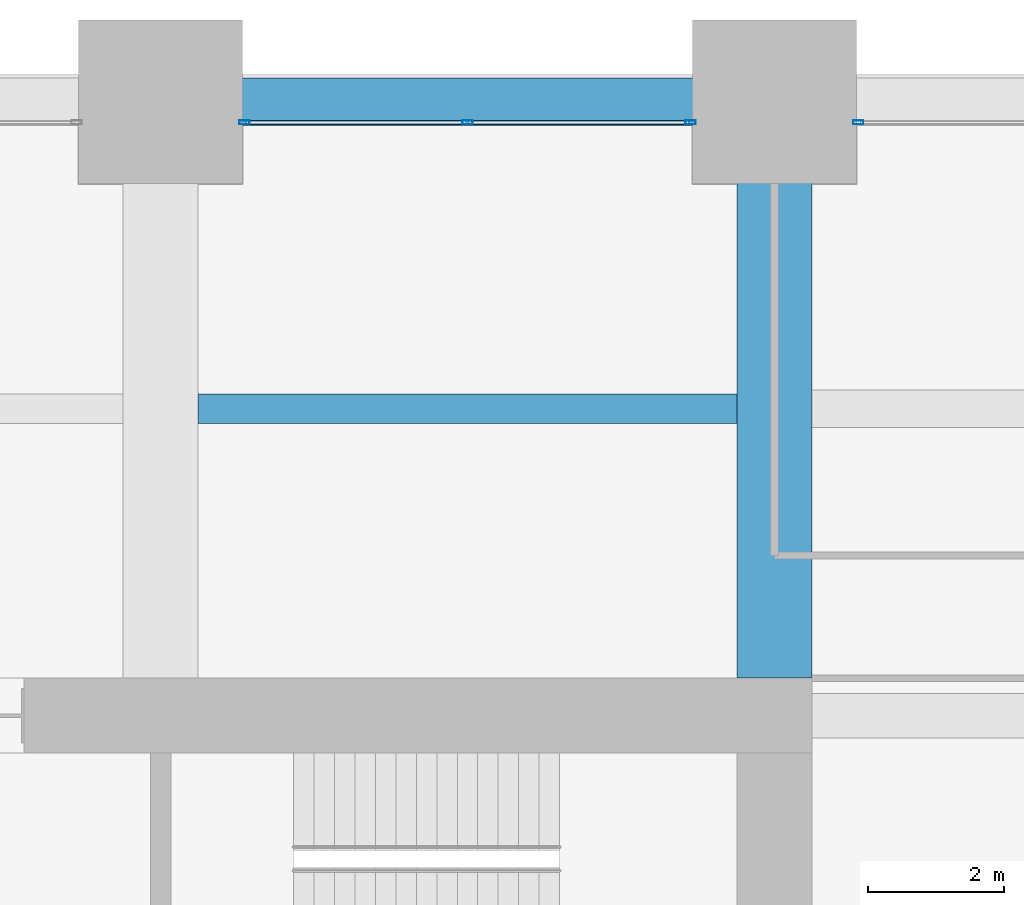
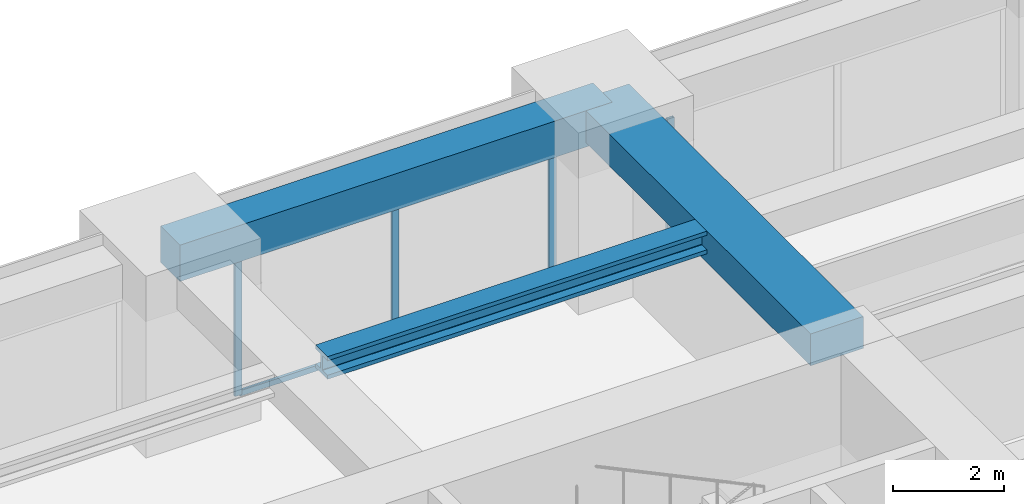
# One storey, part 30 of 40: 5 members, 3 beams, 2 elements without a shape of their own.
"""IFC4 building model written with IfcOpenShell, lengths in metres."""

from ifc_helpers import new_model, si_unit, direction, frame, origin, origin_2d, place, context, subcontext, project, spatial, rectangle, hollow_rectangle, i_section, extrude, material, material_profile, profile_set, type_object, element, aggregate, save


model = new_model("IFC4")

# Units and contexts
model_context = context("Model", 3, precision=1e-05, world=origin(), true_north=direction((0.0, 1.0)))
body_context = subcontext(model_context, "Body", "Model", "MODEL_VIEW")
ifc_project = project(units=[si_unit("LENGTHUNIT", "METRE"), si_unit("AREAUNIT", "SQUARE_METRE"), si_unit("VOLUMEUNIT", "CUBIC_METRE"), si_unit("PLANEANGLEUNIT", "RADIAN"), si_unit("MASSUNIT", "GRAM", prefix="KILO")], contexts=[model_context])

# Site, building, storey
site_placement = place(None, origin())
site = spatial("IfcSite", under=ifc_project, at=site_placement, CompositionType="ELEMENT")
building_placement = place(site_placement, origin())
building = spatial("IfcBuilding", under=site, at=building_placement, Name="Zorevar Civic Tower", CompositionType="ELEMENT")
storey_placement = place(building_placement, frame((0.0, 0.0, 129.0)))
storey = spatial("IfcBuildingStorey", under=building, at=storey_placement, Name="L31", CompositionType="ELEMENT", Elevation=129.0)

# Beam
ifc_material_1 = material(Name="Concrete C50/60", Category="concrete")
ifc_material_profile_1 = material_profile(ifc_material_1, rectangle(XDim=1.10009765625, YDim=0.699951171875, at=origin_2d()), Name="RC 1100x700")
ifc_profile_set_1 = profile_set([ifc_material_profile_1], Name="Concrete C50/60")
beam_type_1 = type_object("IfcBeamType", Name="Beam RC 1100x700", PredefinedType="BEAM", material=ifc_profile_set_1)
beam_1_placement = place(storey_placement, frame((45.0, 36.550048828125, 3.39990234375), z_axis=(0.0, 1.0, 0.0), x_axis=(-1.0, 0.0, 0.0)))
element("IfcBeam", 1, at=beam_1_placement, inside=storey, type_object=beam_type_1, Name="Girder L32", PredefinedType="BEAM", context=body_context, shape_type="SweptSolid", body=[
    extrude(rectangle(XDim=1.10009765625, YDim=0.699951171875, at=origin_2d()), origin(), (0.0, 0.0, 1.0), 8.449951171875),
])

# Curtain wall, members
ifc_material_2 = material(Name="Dark grey solar-control glass in black aluminium frame", Category="aluminium")
curtain_wall_type = type_object("IfcCurtainWallType", Name="Curtain wall CW3 mid zone", PredefinedType="NOTDEFINED", material=ifc_material_2)
curtain_wall_1_placement = place(storey_placement, origin())
curtain_wall_1 = element("IfcCurtainWall", 2, at=curtain_wall_1_placement, inside=storey, type_object=curtain_wall_type, Name="CW3 L31", PredefinedType="NOTDEFINED")
ifc_material_3 = material(Name="Aluminium, black anodised", Category="aluminium")
ifc_material_profile_2 = material_profile(ifc_material_3, hollow_rectangle(XDim=0.06005859375, YDim=0.14990234375, WallThickness=0.00390625, at=origin_2d()), Name="AL 150x60x4")
ifc_profile_set_2 = profile_set([ifc_material_profile_2], Name="Aluminium, black anodised")
member_type_1 = type_object("IfcMemberType", Name="CW3 mullion AL 150x60x4", PredefinedType="MULLION", material=ifc_profile_set_2)
member_1_placement = place(storey_placement, frame((37.22998046875, 44.699951171875, 0.0), z_axis=(0.0, 0.0, 1.0), x_axis=(0.0, 1.0, 0.0)))
member_1 = element("IfcMember", 3, at=member_1_placement, type_object=member_type_1, Name="CW3 mullion 1", PredefinedType="MULLION", context=body_context, shape_type="SweptSolid", body=[
    extrude(hollow_rectangle(XDim=0.06005859375, YDim=0.14990234375, WallThickness=0.00390625, at=origin_2d()), origin(), (0.0, 0.0, 1.0), 2.949951171875),
])
member_2_placement = place(storey_placement, frame((40.5, 44.699951171875, 0.06005859375), z_axis=(0.0, 0.0, 1.0), x_axis=(0.0, 1.0, 0.0)))
member_2 = element("IfcMember", 4, at=member_2_placement, type_object=member_type_1, Name="CW3 mullion 2", PredefinedType="MULLION", context=body_context, shape_type="SweptSolid", body=[
    extrude(hollow_rectangle(XDim=0.06005859375, YDim=0.14990234375, WallThickness=0.00390625, at=origin_2d()), origin(), (0.0, 0.0, 1.0), 2.889892578125),
])
member_3_placement = place(storey_placement, frame((43.77001953125, 44.699951171875, 0.0), z_axis=(0.0, 0.0, 1.0), x_axis=(0.0, 1.0, 0.0)))
member_3 = element("IfcMember", 5, at=member_3_placement, type_object=member_type_1, Name="CW3 mullion 3", PredefinedType="MULLION", context=body_context, shape_type="SweptSolid", body=[
    extrude(hollow_rectangle(XDim=0.06005859375, YDim=0.14990234375, WallThickness=0.00390625, at=origin_2d()), origin(), (0.0, 0.0, 1.0), 2.949951171875),
])

# Curtain wall, member
curtain_wall_2_placement = place(storey_placement, origin())
curtain_wall_2 = element("IfcCurtainWall", 6, at=curtain_wall_2_placement, inside=storey, type_object=curtain_wall_type, Name="CW3 L31", PredefinedType="NOTDEFINED")
member_4_placement = place(storey_placement, frame((46.22998046875, 44.699951171875, 0.0), z_axis=(0.0, 0.0, 1.0), x_axis=(0.0, 1.0, 0.0)))
member_4 = element("IfcMember", 7, at=member_4_placement, type_object=member_type_1, Name="CW3 mullion 1", PredefinedType="MULLION", context=body_context, shape_type="SweptSolid", body=[
    extrude(hollow_rectangle(XDim=0.06005859375, YDim=0.14990234375, WallThickness=0.00390625, at=origin_2d()), origin(), (0.0, 0.0, 1.0), 2.949951171875),
])
aggregate(curtain_wall_2, [member_4])

# Member
ifc_material_4 = material(Name="Aluminium, black anodised", Category="aluminium")
ifc_material_profile_3 = material_profile(ifc_material_4, hollow_rectangle(XDim=0.06005859375, YDim=0.1201171875, WallThickness=0.0029296875, at=origin_2d()), Name="AL 120x60x3")
ifc_profile_set_3 = profile_set([ifc_material_profile_3], Name="Aluminium, black anodised")
member_type_2 = type_object("IfcMemberType", Name="CW3 transom AL 120x60x3", PredefinedType="USERDEFINED", material=ifc_profile_set_3)
member_5_placement = place(storey_placement, frame((37.260009765625, 44.699951171875, 0.030029296875), z_axis=(1.0, 0.0, 0.0), x_axis=(0.0, 1.0, 0.0)))
member_5 = element("IfcMember", 8, at=member_5_placement, type_object=member_type_2, Name="CW3 sill transom", ObjectType="TRANSOM", PredefinedType="USERDEFINED", context=body_context, shape_type="SweptSolid", body=[
    extrude(hollow_rectangle(XDim=0.06005859375, YDim=0.1201171875, WallThickness=0.0029296875, at=origin_2d()), origin(), (0.0, 0.0, 1.0), 6.47998046875),
])

aggregate(curtain_wall_1, [member_1, member_2, member_3, member_5])

# Beams
ifc_material_5 = material(Name="Steel S460M (HISTAR 460)", Category="steel")
ifc_material_profile_4 = material_profile(ifc_material_5, i_section(OverallWidth=0.431884765625, OverallDepth=0.498046875, WebThickness=0.0556640625, FlangeThickness=0.0888671875, FilletRadius=0.014892578125, at=origin_2d()), Name="HD 400x744")
ifc_profile_set_4 = profile_set([ifc_material_profile_4], Name="Steel S460M (HISTAR 460)")
beam_type_2 = type_object("IfcBeamType", Name="Core bay beam HD 400x744", PredefinedType="BEAM", material=ifc_profile_set_4)
beam_2_placement = place(storey_placement, frame((36.550048828125, 40.5, 3.5009765625), z_axis=(1.0, 0.0, 0.0), x_axis=(0.0, 1.0, 0.0)))
element("IfcBeam", 9, at=beam_2_placement, inside=storey, type_object=beam_type_2, Name="Secondary beam L32", PredefinedType="BEAM", context=body_context, shape_type="SweptSolid", body=[
    extrude(i_section(OverallWidth=0.431884765625, OverallDepth=0.498046875, WebThickness=0.0556640625, FlangeThickness=0.0888671875, FilletRadius=0.014892578125, at=origin_2d()), origin(), (0.0, 0.0, 1.0), 7.89990234375),
])
ifc_material_6 = material(Name="Concrete C50/60", Category="concrete")
ifc_material_profile_5 = material_profile(ifc_material_6, rectangle(XDim=0.699951171875, YDim=0.800048828125, at=origin_2d()), Name="RC 700x800")
ifc_profile_set_5 = profile_set([ifc_material_profile_5], Name="Concrete C50/60")
beam_type_3 = type_object("IfcBeamType", Name="Edge beam RC 700x800", PredefinedType="SPANDREL", material=ifc_profile_set_5)
beam_3_placement = place(storey_placement, frame((36.0, 45.0, 3.35009765625), z_axis=(1.0, 0.0, 0.0), x_axis=(0.0, 1.0, 0.0)))
element("IfcBeam", 10, at=beam_3_placement, inside=storey, type_object=beam_type_3, Name="Edge beam L32", PredefinedType="SPANDREL", context=body_context, shape_type="SweptSolid", body=[
    extrude(rectangle(XDim=0.699951171875, YDim=0.800048828125, at=origin_2d()), origin(), (0.0, 0.0, 1.0), 9.0),
])

save(model, "model.ifc")
